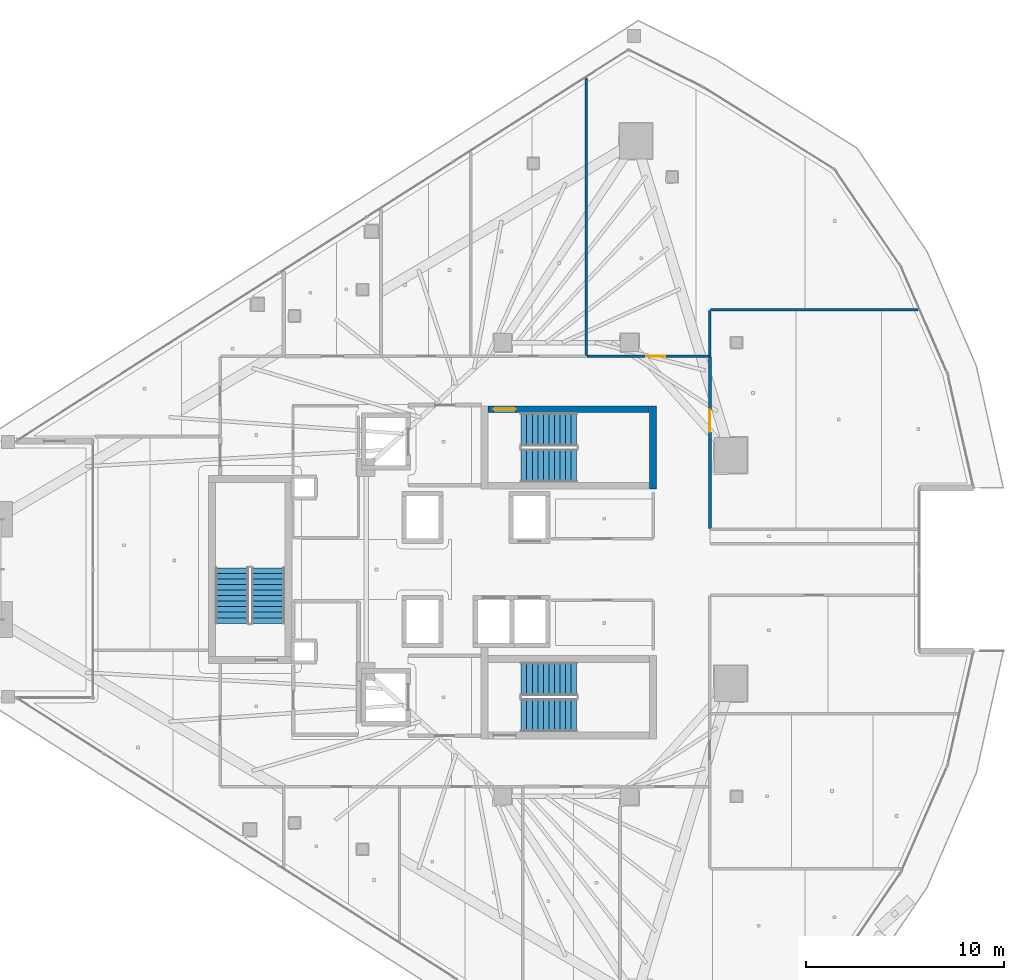
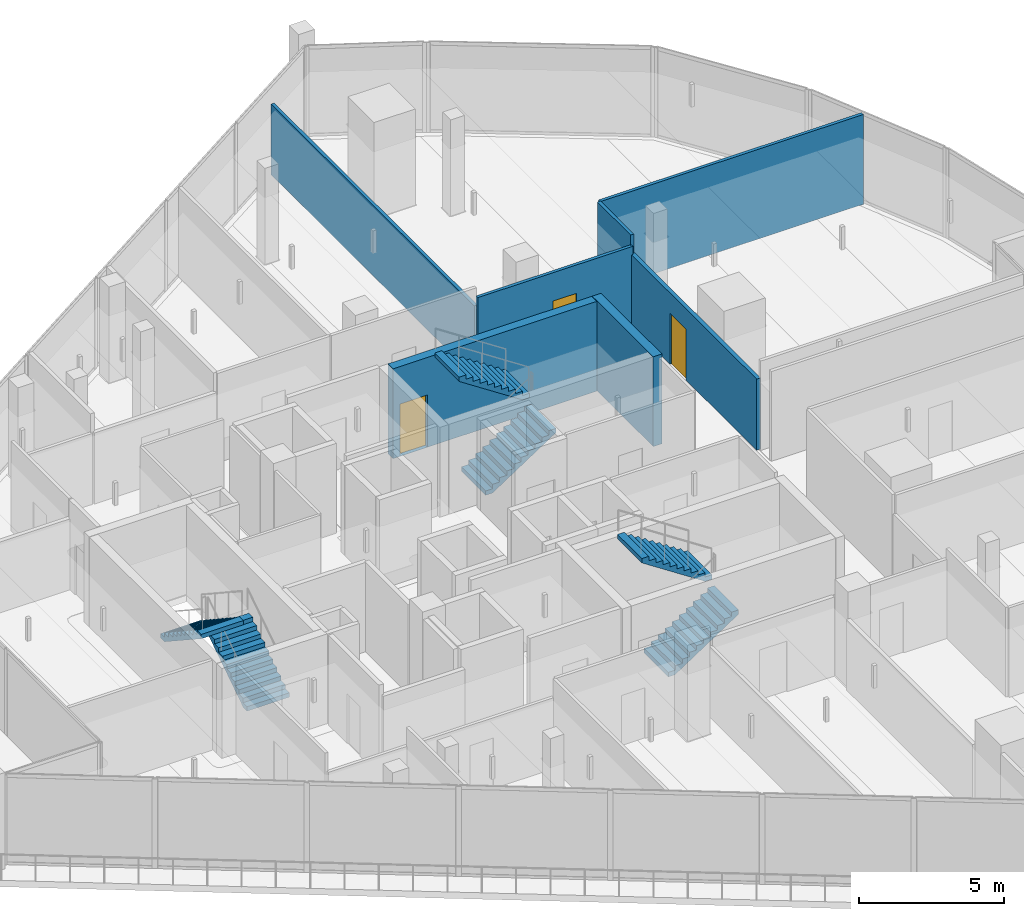
# One storey, part 23 of 32: 7 walls, 6 stair flights, 3 doors, 3 openings, 3 elements without a shape of their own.
"""IFC4 building model written with IfcOpenShell, lengths in metres."""

from ifc_helpers import new_model, si_unit, direction, frame, frame_2d, origin, place, context, subcontext, project, spatial, polyline, rectangle, outline, extrude, material, layer, layer_set, type_object, element, fill, aggregate, save


model = new_model("IFC4")

# Units and contexts
model_context = context("Model", 3, precision=1e-05, world=origin(), true_north=direction((0.0, 1.0)))
body_context = subcontext(model_context, "Body", "Model", "MODEL_VIEW")
ifc_project = project(units=[si_unit("LENGTHUNIT", "METRE"), si_unit("AREAUNIT", "SQUARE_METRE"), si_unit("VOLUMEUNIT", "CUBIC_METRE"), si_unit("PLANEANGLEUNIT", "RADIAN"), si_unit("MASSUNIT", "GRAM", prefix="KILO")], contexts=[model_context])

# Site, building, storey
site_placement = place(None, origin())
site = spatial("IfcSite", under=ifc_project, at=site_placement, CompositionType="ELEMENT")
building_placement = place(site_placement, origin())
building = spatial("IfcBuilding", under=site, at=building_placement, Name="Qorvath Tower", CompositionType="ELEMENT")
storey_placement = place(building_placement, frame((0.0, 0.0, 233.39990234375)))
storey = spatial("IfcBuildingStorey", under=building, at=storey_placement, Name="L54", CompositionType="ELEMENT", Elevation=233.39990234375)

# Wall, opening, door
ifc_material_1 = material(Name="Double acoustic gypsum board on steel studs", Category="steel")
ifc_layer_1 = layer(ifc_material_1, 0.159912109375)
ifc_layer_set_1 = layer_set([ifc_layer_1], Name="IW-ACOUSTIC-160")
wall_type_1 = type_object("IfcWallType", Name="IW-ACOUSTIC-160", PredefinedType="PARTITIONING", material=ifc_layer_set_1)
wall_1_placement = place(storey_placement, frame((-13.14208984375, 10.75830078125, 0.0), z_axis=(0.0, 0.0, 1.0), x_axis=(0.0, -1.0, 0.0)))
wall_1 = element("IfcWall", 1, at=wall_1_placement, inside=storey, type_object=wall_type_1, Name="Interior Partition IW-T1-L54-048", PredefinedType="PARTITIONING", context=body_context, shape_type="SweptSolid", body=[
    extrude(rectangle(XDim=8.687255859375, YDim=0.159912109375, at=frame_2d((4.34375, 0.0))), origin(), (0.0, 0.0, 1.0), 3.0),
])
opening_1_placement = place(wall_1_placement, frame((2.709716796875, 0.0, 0.0)))
opening_1 = element("IfcOpeningElement", 2, at=opening_1_placement, cuts=wall_1, Name="Opening D-T1-L54-15", PredefinedType="OPENING", context=body_context, shape_type="SweptSolid", body=[
    extrude(rectangle(XDim=1.10009765625, YDim=2.14990234375, at=frame_2d((0.550048828125, 1.074951171875))), frame((0.0, 0.08984375, 0.0), z_axis=(0.0, -1.0, 0.0), x_axis=(1.0, 0.0, 0.0)), (0.0, 0.0, 1.0), 0.179931640625),
])
ifc_material_2 = material(Name="Anodised aluminium acoustic framed glass", Category="aluminium")
door_type_1 = type_object("IfcDoorType", Name="D-03", OperationType="NOTDEFINED", PredefinedType="DOOR", material=ifc_material_2)
door_1_placement = place(opening_1_placement, origin())
door_1 = element("IfcDoor", 3, at=door_1_placement, inside=storey, type_object=door_type_1, Name="L54-11 Enclosed Conference Suite Door D-T1-L54-15", OperationType="SINGLE_SWING_RIGHT", OverallHeight=2.14990234375, OverallWidth=1.10009765625, PredefinedType="DOOR", context=body_context, shape_type="SweptSolid", body=[
    extrude(rectangle(XDim=1.10009765625, YDim=2.14990234375, at=frame_2d((0.550048828125, 1.074951171875))), frame((0.0, 0.02490234375, 0.0), z_axis=(0.0, -1.0, 0.0), x_axis=(1.0, 0.0, 0.0)), (0.0, 0.0, 1.0), 0.050048828125),
])
fill(opening_1, door_1)

# Wall
ifc_material_3 = material(Name="Gypsum board on metal studs with mineral wool", Category="gypsum")
ifc_layer_2 = layer(ifc_material_3, 0.125)
ifc_layer_set_2 = layer_set([ifc_layer_2], Name="IW-PART-125")
wall_type_2 = type_object("IfcWallType", Name="IW-PART-125", PredefinedType="PARTITIONING", material=ifc_layer_set_2)
wall_2_placement = place(storey_placement, frame((-19.3740234375, 10.783203125, 0.0), z_axis=(0.0, 0.0, 1.0), x_axis=(0.0, 1.0, 0.0)))
element("IfcWall", 4, at=wall_2_placement, inside=storey, type_object=wall_type_2, Name="Interior Partition IW-T1-L54-027", PredefinedType="PARTITIONING", context=body_context, shape_type="SweptSolid", body=[
    extrude(rectangle(XDim=14.012939453125, YDim=0.125, at=frame_2d((7.00634765625, 0.0))), origin(), (0.0, 0.0, 1.0), 2.97705078125),
])

# Wall, opening, door
wall_3_placement = place(storey_placement, frame((-19.341064453125, 10.758056640625, 0.0), z_axis=(0.0, 0.0, 1.0), x_axis=(1.0, 0.0, 0.0)))
wall_3 = element("IfcWall", 5, at=wall_3_placement, inside=storey, type_object=wall_type_2, Name="Interior Partition IW-T1-L54-028", PredefinedType="PARTITIONING", context=body_context, shape_type="SweptSolid", body=[
    extrude(rectangle(XDim=6.166259765625, YDim=0.125, at=frame_2d((3.0830078125, 0.0))), origin(), (0.0, 0.0, 1.0), 3.34375),
])
opening_2_placement = place(wall_3_placement, frame((2.980712890625, 0.0, 0.0)))
opening_2 = element("IfcOpeningElement", 6, at=opening_2_placement, cuts=wall_3, Name="Opening D-T1-L54-08", PredefinedType="OPENING", context=body_context, shape_type="SweptSolid", body=[
    extrude(rectangle(XDim=0.949951171875, YDim=2.14990234375, at=frame_2d((0.47509765625, 1.074951171875))), frame((0.0, 0.072509765625, 0.0), z_axis=(0.0, -1.0, 0.0), x_axis=(1.0, 0.0, 0.0)), (0.0, 0.0, 1.0), 0.14501953125),
])
ifc_material_4 = material(Name="Solid-core American white oak veneer", Category="wood")
door_type_2 = type_object("IfcDoorType", Name="D-01", OperationType="NOTDEFINED", PredefinedType="DOOR", material=ifc_material_4)
door_2_placement = place(opening_2_placement, origin())
door_2 = element("IfcDoor", 7, at=door_2_placement, inside=storey, type_object=door_type_2, Name="L54-04 Design Pin-Up Atelier Door D-T1-L54-08", OperationType="SINGLE_SWING_LEFT", OverallHeight=2.14990234375, OverallWidth=0.949951171875, PredefinedType="DOOR", context=body_context, shape_type="SweptSolid", body=[
    extrude(rectangle(XDim=0.949951171875, YDim=2.14990234375, at=frame_2d((0.47509765625, 1.074951171875))), frame((0.0, 0.02490234375, 0.0), z_axis=(0.0, -1.0, 0.0), x_axis=(1.0, 0.0, 0.0)), (0.0, 0.0, 1.0), 0.050048828125),
])
fill(opening_2, door_2)

# Walls
wall_4_placement = place(storey_placement, frame((-13.14990234375, 13.078369140625, 0.0), z_axis=(0.0, 0.0, 1.0), x_axis=(0.0, -1.0, 0.0)))
element("IfcWall", 8, at=wall_4_placement, inside=storey, type_object=wall_type_2, Name="Interior Partition IW-T1-L54-029", PredefinedType="PARTITIONING", context=body_context, shape_type="SweptSolid", body=[
    extrude(rectangle(XDim=2.295166015625, YDim=0.125, at=frame_2d((1.1474609375, 0.0))), origin(), (0.0, 0.0, 1.0), 3.780029296875),
])
wall_5_placement = place(storey_placement, frame((-13.125, 13.103271484375, 0.0), z_axis=(0.0, 0.0, 1.0), x_axis=(0.999999739767, 0.000721433371, 0.0)))
element("IfcWall", 9, at=wall_5_placement, inside=storey, type_object=wall_type_2, Name="Interior Partition IW-T1-L54-030", PredefinedType="PARTITIONING", context=body_context, shape_type="SweptSolid", body=[
    extrude(rectangle(XDim=10.49072265625, YDim=0.125, at=frame_2d((5.245361328125, 0.0))), origin(), (0.0, 0.0, 1.0), 3.780029296875),
])
ifc_material_5 = material(Name="Concrete C60/75", Category="concrete")
ifc_layer_3 = layer(ifc_material_5, 0.35009765625)
ifc_layer_set_3 = layer_set([ifc_layer_3], Name="SW-STAIR")
wall_type_3 = type_object("IfcWallType", Name="SW-STAIR", PredefinedType="SHEAR", material=ifc_layer_set_3)
wall_6_placement = place(storey_placement, frame((-16.02490234375, 4.050048828125, 0.0), z_axis=(0.0, 0.0, 1.0), x_axis=(0.0, 1.0, 0.0)))
element("IfcWall", 10, at=wall_6_placement, inside=storey, type_object=wall_type_3, Name="Stair TS1 Shear Wall L54 FAR", PredefinedType="SHEAR", context=body_context, shape_type="SweptSolid", body=[
    extrude(rectangle(XDim=4.2099609375, YDim=0.35009765625, at=frame_2d((2.10498046875, 0.0))), origin(), (0.0, 0.0, 1.0), 3.780029296875),
])

# Wall, opening, door
wall_7_placement = place(storey_placement, frame((-16.215087890625, 8.0849609375, 0.0), z_axis=(0.0, 0.0, 1.0), x_axis=(-1.0, 0.0, 0.0)))
wall_7 = element("IfcWall", 11, at=wall_7_placement, inside=storey, type_object=wall_type_3, Name="Stair TS1 Shear Wall L54 RIGHT", PredefinedType="SHEAR", context=body_context, shape_type="SweptSolid", body=[
    extrude(rectangle(XDim=8.119873046875, YDim=0.35009765625, at=frame_2d((4.06005859375, 0.0))), origin(), (0.0, 0.0, 1.0), 3.780029296875),
])
opening_3_placement = place(wall_7_placement, frame((6.739990234375, 0.0, 0.0)))
opening_3 = element("IfcOpeningElement", 12, at=opening_3_placement, cuts=wall_7, Name="Opening D-TS1-L54", PredefinedType="OPENING", context=body_context, shape_type="SweptSolid", body=[
    extrude(rectangle(XDim=1.10009765625, YDim=2.199951171875, at=frame_2d((0.550048828125, 1.10009765625))), frame((0.0, 0.18505859375, 0.0), z_axis=(0.0, -1.0, 0.0), x_axis=(1.0, 0.0, 0.0)), (0.0, 0.0, 1.0), 0.3701171875),
])
ifc_material_6 = material(Name="Painted galvanised hollow metal", Category="steel")
door_type_3 = type_object("IfcDoorType", Name="FD-90", OperationType="NOTDEFINED", PredefinedType="DOOR", material=ifc_material_6)
door_3_placement = place(opening_3_placement, origin())
door_3 = element("IfcDoor", 13, at=door_3_placement, inside=storey, type_object=door_type_3, Name="Stair TS1 Fire Door L54", OperationType="SINGLE_SWING_LEFT", OverallHeight=2.199951171875, OverallWidth=1.10009765625, PredefinedType="DOOR", context=body_context, shape_type="SweptSolid", body=[
    extrude(rectangle(XDim=1.10009765625, YDim=2.199951171875, at=frame_2d((0.550048828125, 1.10009765625))), frame((0.0, 0.02490234375, 0.0), z_axis=(0.0, -1.0, 0.0), x_axis=(1.0, 0.0, 0.0)), (0.0, 0.0, 1.0), 0.050048828125),
])
fill(opening_3, door_3)

# Stair, stair flights
ifc_material_7 = material(Name="Concrete C50/60", Category="concrete")
stair_type = type_object("IfcStairType", Name="ST-H405", PredefinedType="HALF_TURN_STAIR", material=ifc_material_7)
stair_1_placement = place(storey_placement, origin())
stair_1 = element("IfcStair", 14, at=stair_1_placement, inside=storey, type_object=stair_type, Name="L54 Tower Exit Stair 1", PredefinedType="HALF_TURN_STAIR")
ifc_material_8 = material(Name="Concrete C50/60", Category="concrete")
ifc_layer_4 = layer(ifc_material_8, 0.14990234375)
ifc_layer_set_4 = layer_set([ifc_layer_4], Name="SF-H405")
stair_flight_type = type_object("IfcStairFlightType", Name="SF-H405", PredefinedType="STRAIGHT", material=ifc_layer_set_4)
stair_flight_1_placement = place(storey_placement, frame((-22.669921875, 5.239990234375, 0.0), z_axis=(0.0, 0.0, 1.0), x_axis=(1.0, 0.0, 0.0)))
stair_flight_1 = element("IfcStairFlight", 15, at=stair_flight_1_placement, type_object=stair_flight_type, Name="TS1 flight 1", NumberOfRisers=11, NumberOfTreads=10, PredefinedType="STRAIGHT", RiserHeight=0.184090909, TreadLength=0.28, context=body_context, shape_type="SweptSolid", body=[
    extrude(outline(polyline([(0.0, 0.0), (0.0, 0.18408203125), (0.280029296875, 0.18408203125), (0.280029296875, 0.3681640625), (0.56005859375, 0.3681640625), (0.56005859375, 0.55224609375), (0.840087890625, 0.55224609375), (0.840087890625, 0.736328125), (1.1201171875, 0.736328125), (1.1201171875, 0.92041015625), (1.39990234375, 0.92041015625), (1.39990234375, 1.1044921875), (1.679931640625, 1.1044921875), (1.679931640625, 1.28857421875), (1.9599609375, 1.28857421875), (1.9599609375, 1.47265625), (2.239990234375, 1.47265625), (2.239990234375, 1.65673828125), (2.52001953125, 1.65673828125), (2.52001953125, 1.8408203125), (2.800048828125, 1.8408203125), (2.800048828125, 2.02490234375), (2.800048828125, 1.66162109375), (0.27294921875, 0.0), (0.0, 0.0)])), frame((0.0, 0.83984375, 0.0), z_axis=(0.0, -1.0, 0.0), x_axis=(1.0, 0.0, 0.0)), (0.0, 0.0, 1.0), 1.679931640625),
])
stair_flight_2_placement = place(storey_placement, frame((-19.8701171875, 7.070068359375, 2.025146484375), z_axis=(0.0, 0.0, 1.0), x_axis=(-1.0, 0.0, 0.0)))
stair_flight_2 = element("IfcStairFlight", 16, at=stair_flight_2_placement, type_object=stair_flight_type, Name="TS1 flight 2", NumberOfRisers=11, NumberOfTreads=10, PredefinedType="STRAIGHT", RiserHeight=0.184090909, TreadLength=0.28, context=body_context, shape_type="SweptSolid", body=[
    extrude(outline(polyline([(0.0, 0.0), (0.0, 0.18408203125), (0.280029296875, 0.18408203125), (0.280029296875, 0.3681640625), (0.56005859375, 0.3681640625), (0.56005859375, 0.55224609375), (0.840087890625, 0.55224609375), (0.840087890625, 0.736328125), (1.1201171875, 0.736328125), (1.1201171875, 0.92041015625), (1.39990234375, 0.92041015625), (1.39990234375, 1.1044921875), (1.679931640625, 1.1044921875), (1.679931640625, 1.28857421875), (1.9599609375, 1.28857421875), (1.9599609375, 1.47265625), (2.239990234375, 1.47265625), (2.239990234375, 1.65673828125), (2.52001953125, 1.65673828125), (2.52001953125, 1.8408203125), (2.800048828125, 1.8408203125), (2.800048828125, 2.02490234375), (2.800048828125, 1.66162109375), (0.27294921875, 0.0), (0.0, 0.0)])), frame((0.0, 0.83984375, 0.0), z_axis=(0.0, -1.0, 0.0), x_axis=(1.0, 0.0, 0.0)), (0.0, 0.0, 1.0), 1.679931640625),
])
aggregate(stair_1, [stair_flight_1, stair_flight_2])

stair_2_placement = place(storey_placement, origin())
stair_2 = element("IfcStair", 17, at=stair_2_placement, inside=storey, type_object=stair_type, Name="L54 Tower Exit Stair 2", PredefinedType="HALF_TURN_STAIR")
stair_flight_3_placement = place(storey_placement, frame((-22.669921875, -7.360107421875, 0.0), z_axis=(0.0, 0.0, 1.0), x_axis=(1.0, 0.0, 0.0)))
stair_flight_3 = element("IfcStairFlight", 18, at=stair_flight_3_placement, type_object=stair_flight_type, Name="TS2 flight 1", NumberOfRisers=11, NumberOfTreads=10, PredefinedType="STRAIGHT", RiserHeight=0.184090909, TreadLength=0.28, context=body_context, shape_type="SweptSolid", body=[
    extrude(outline(polyline([(0.0, 0.0), (0.0, 0.18408203125), (0.280029296875, 0.18408203125), (0.280029296875, 0.3681640625), (0.56005859375, 0.3681640625), (0.56005859375, 0.55224609375), (0.840087890625, 0.55224609375), (0.840087890625, 0.736328125), (1.1201171875, 0.736328125), (1.1201171875, 0.92041015625), (1.39990234375, 0.92041015625), (1.39990234375, 1.1044921875), (1.679931640625, 1.1044921875), (1.679931640625, 1.28857421875), (1.9599609375, 1.28857421875), (1.9599609375, 1.47265625), (2.239990234375, 1.47265625), (2.239990234375, 1.65673828125), (2.52001953125, 1.65673828125), (2.52001953125, 1.8408203125), (2.800048828125, 1.8408203125), (2.800048828125, 2.02490234375), (2.800048828125, 1.66162109375), (0.27294921875, 0.0), (0.0, 0.0)])), frame((0.0, 0.83984375, 0.0), z_axis=(0.0, -1.0, 0.0), x_axis=(1.0, 0.0, 0.0)), (0.0, 0.0, 1.0), 1.679931640625),
])
stair_flight_4_placement = place(storey_placement, frame((-19.8701171875, -5.530029296875, 2.025146484375), z_axis=(0.0, 0.0, 1.0), x_axis=(-1.0, 0.0, 0.0)))
stair_flight_4 = element("IfcStairFlight", 19, at=stair_flight_4_placement, type_object=stair_flight_type, Name="TS2 flight 2", NumberOfRisers=11, NumberOfTreads=10, PredefinedType="STRAIGHT", RiserHeight=0.184090909, TreadLength=0.28, context=body_context, shape_type="SweptSolid", body=[
    extrude(outline(polyline([(0.0, 0.0), (0.0, 0.18408203125), (0.280029296875, 0.18408203125), (0.280029296875, 0.3681640625), (0.56005859375, 0.3681640625), (0.56005859375, 0.55224609375), (0.840087890625, 0.55224609375), (0.840087890625, 0.736328125), (1.1201171875, 0.736328125), (1.1201171875, 0.92041015625), (1.39990234375, 0.92041015625), (1.39990234375, 1.1044921875), (1.679931640625, 1.1044921875), (1.679931640625, 1.28857421875), (1.9599609375, 1.28857421875), (1.9599609375, 1.47265625), (2.239990234375, 1.47265625), (2.239990234375, 1.65673828125), (2.52001953125, 1.65673828125), (2.52001953125, 1.8408203125), (2.800048828125, 1.8408203125), (2.800048828125, 2.02490234375), (2.800048828125, 1.66162109375), (0.27294921875, 0.0), (0.0, 0.0)])), frame((0.0, 0.83984375, 0.0), z_axis=(0.0, -1.0, 0.0), x_axis=(1.0, 0.0, 0.0)), (0.0, 0.0, 1.0), 1.679931640625),
])
aggregate(stair_2, [stair_flight_3, stair_flight_4])

stair_3_placement = place(storey_placement, origin())
stair_3 = element("IfcStair", 20, at=stair_3_placement, inside=storey, type_object=stair_type, Name="L54 Tower Exit Stair 3", PredefinedType="HALF_TURN_STAIR")
stair_flight_5_placement = place(storey_placement, frame((-35.43994140625, -2.719970703125, 0.0), z_axis=(0.0, 0.0, 1.0), x_axis=(0.0, 1.0, 0.0)))
stair_flight_5 = element("IfcStairFlight", 21, at=stair_flight_5_placement, type_object=stair_flight_type, Name="TS3 flight 1", NumberOfRisers=11, NumberOfTreads=10, PredefinedType="STRAIGHT", RiserHeight=0.184090909, TreadLength=0.28, context=body_context, shape_type="SweptSolid", body=[
    extrude(outline(polyline([(0.0, 0.0), (0.0, 0.18408203125), (0.280029296875, 0.18408203125), (0.280029296875, 0.3681640625), (0.56005859375, 0.3681640625), (0.56005859375, 0.55224609375), (0.840087890625, 0.55224609375), (0.840087890625, 0.736328125), (1.1201171875, 0.736328125), (1.1201171875, 0.92041015625), (1.39990234375, 0.92041015625), (1.39990234375, 1.1044921875), (1.679931640625, 1.1044921875), (1.679931640625, 1.28857421875), (1.9599609375, 1.28857421875), (1.9599609375, 1.47265625), (2.239990234375, 1.47265625), (2.239990234375, 1.65673828125), (2.52001953125, 1.65673828125), (2.52001953125, 1.8408203125), (2.800048828125, 1.8408203125), (2.800048828125, 2.02490234375), (2.800048828125, 1.66162109375), (0.27294921875, 0.0), (0.0, 0.0)])), frame((0.0, 0.83984375, 0.0), z_axis=(0.0, -1.0, 0.0), x_axis=(1.0, 0.0, 0.0)), (0.0, 0.0, 1.0), 1.679931640625),
])
stair_flight_6_placement = place(storey_placement, frame((-37.27001953125, 0.080078125, 2.025146484375), z_axis=(0.0, 0.0, 1.0), x_axis=(0.0, -1.0, 0.0)))
stair_flight_6 = element("IfcStairFlight", 22, at=stair_flight_6_placement, type_object=stair_flight_type, Name="TS3 flight 2", NumberOfRisers=11, NumberOfTreads=10, PredefinedType="STRAIGHT", RiserHeight=0.184090909, TreadLength=0.28, context=body_context, shape_type="SweptSolid", body=[
    extrude(outline(polyline([(0.0, 0.0), (0.0, 0.18408203125), (0.280029296875, 0.18408203125), (0.280029296875, 0.3681640625), (0.56005859375, 0.3681640625), (0.56005859375, 0.55224609375), (0.840087890625, 0.55224609375), (0.840087890625, 0.736328125), (1.1201171875, 0.736328125), (1.1201171875, 0.92041015625), (1.39990234375, 0.92041015625), (1.39990234375, 1.1044921875), (1.679931640625, 1.1044921875), (1.679931640625, 1.28857421875), (1.9599609375, 1.28857421875), (1.9599609375, 1.47265625), (2.239990234375, 1.47265625), (2.239990234375, 1.65673828125), (2.52001953125, 1.65673828125), (2.52001953125, 1.8408203125), (2.800048828125, 1.8408203125), (2.800048828125, 2.02490234375), (2.800048828125, 1.66162109375), (0.27294921875, 0.0), (0.0, 0.0)])), frame((0.0, 0.83984375, 0.0), z_axis=(0.0, -1.0, 0.0), x_axis=(1.0, 0.0, 0.0)), (0.0, 0.0, 1.0), 1.679931640625),
])
aggregate(stair_3, [stair_flight_5, stair_flight_6])

save(model, "model.ifc")
